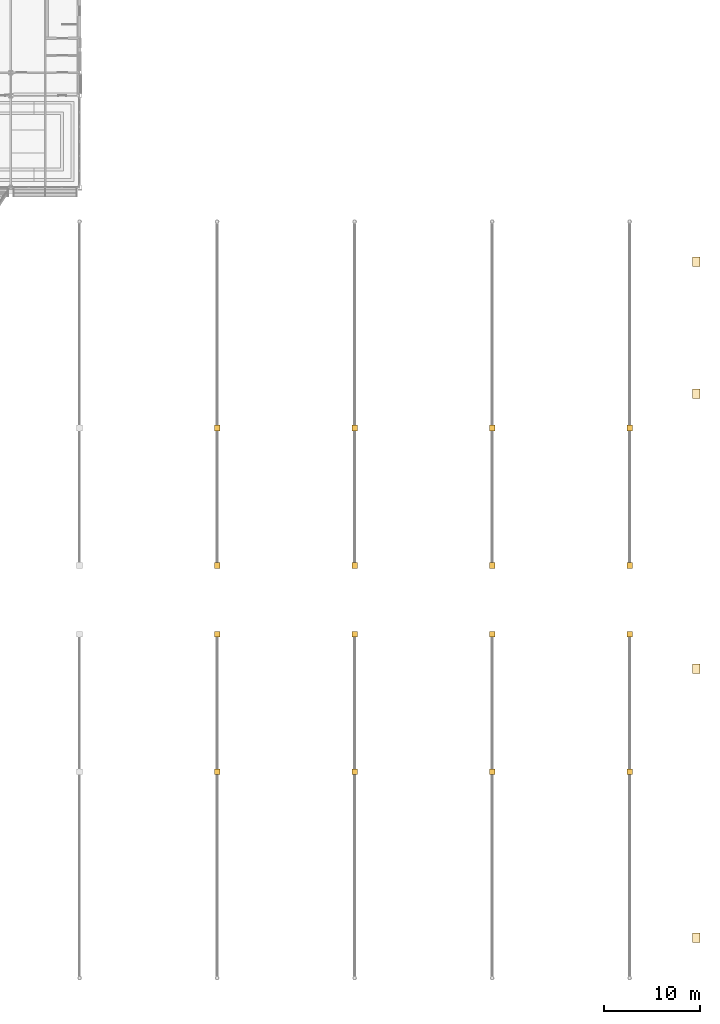
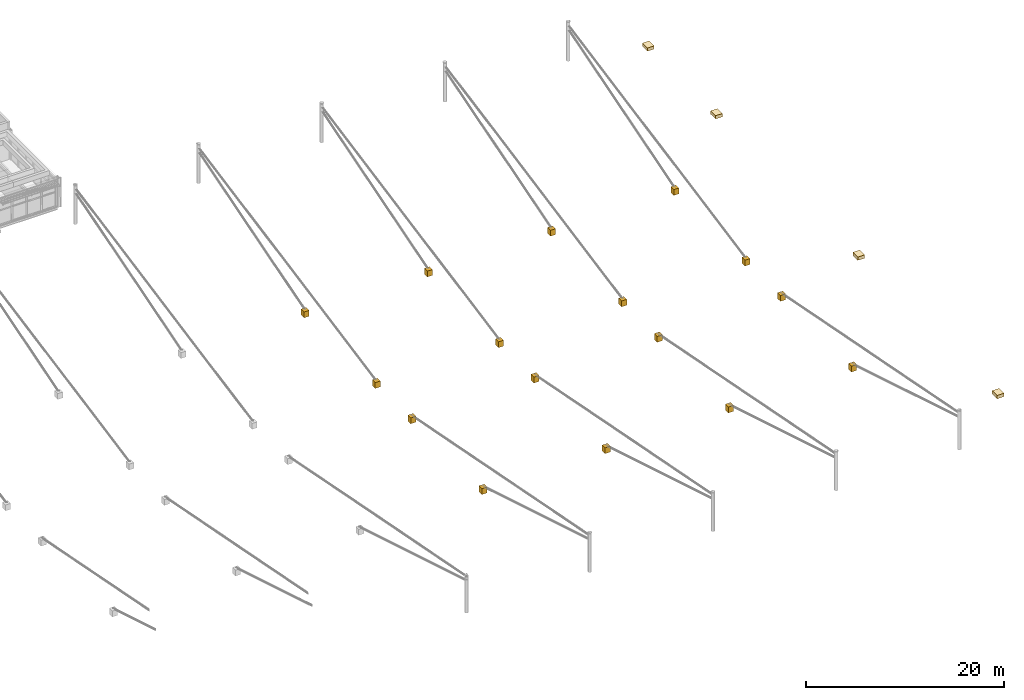
# One storey, part 67 of 68: 20 coverings.
"""IFC4 building model written with IfcOpenShell, lengths in metres."""

from ifc_helpers import new_model, si_unit, direction, frame, origin, origin_2d, place, context, subcontext, project, spatial, polyline, rectangle, outline, extrude, material, layer, layer_set, type_object, element, save


model = new_model("IFC4")

# Units and contexts
model_context = context("Model", 3, precision=1e-05, world=origin(), true_north=direction((0.0, 1.0)))
body_context = subcontext(model_context, "Body", "Model", "MODEL_VIEW")
ifc_project = project(units=[si_unit("LENGTHUNIT", "METRE"), si_unit("AREAUNIT", "SQUARE_METRE"), si_unit("VOLUMEUNIT", "CUBIC_METRE"), si_unit("PLANEANGLEUNIT", "RADIAN"), si_unit("MASSUNIT", "GRAM", prefix="KILO")], contexts=[model_context])

# Site, building, storey
site_placement = place(None, origin())
site = spatial("IfcSite", under=ifc_project, at=site_placement, CompositionType="ELEMENT")
building_placement = place(site_placement, origin())
building = spatial("IfcBuilding", under=site, at=building_placement, Name="Kupolbacken Congress Centre", CompositionType="ELEMENT")
storey_placement = place(building_placement, frame((0.0, 0.0, 25.199951171875)))
storey = spatial("IfcBuildingStorey", under=building, at=storey_placement, Name="L07", CompositionType="ELEMENT", Elevation=25.199951171875)

# Coverings
ifc_material_1 = material(Name="Limestone cladding", Category="masonry")
ifc_layer_1 = layer(ifc_material_1, 0.35009765625)
ifc_layer_set_1 = layer_set([ifc_layer_1], Name="Limestone cladding")
covering_type_1 = type_object("IfcCoveringType", Name="CV3 limestone pilaster strip 350", PredefinedType="CLADDING", material=ifc_layer_set_1)
for number, where, z_axis, x_axis, name in (
    (1, (201.35009765625, 43.800048828125, 1.650146484375), (0.0, 0.0, 1.0), (0.0, 1.0, 0.0), "F/HR/pin/E/00/cap"),
    (2, (201.35009765625, 72.0, 1.650146484375), (0.0, 0.0, 1.0), (0.0, 1.0, 0.0), "F/HR/pin/E/01/cap"),
    (3, (201.35009765625, 100.800048828125, 1.650146484375), (0.0, 0.0, 1.0), (0.0, 1.0, 0.0), "F/HR/pin/E/02/cap"),
    (4, (201.35009765625, 114.60009765625, 1.650146484375), (0.0, 0.0, 1.0), (0.0, 1.0, 0.0), "F/HR/pin/E/03/cap"),
):
    element("IfcCovering", number, at=place(storey_placement, frame(where, z_axis=z_axis, x_axis=x_axis)), inside=storey, type_object=covering_type_1, Name=name, PredefinedType="CLADDING", context=body_context, shape_type="SweptSolid", body=[
        extrude(rectangle(XDim=1.0, YDim=0.800048828125, at=origin_2d()), origin(), (0.0, 0.0, 1.0), 0.39990234375),
    ])
ifc_material_2 = material(Name="Limestone cladding", Category="masonry")
ifc_layer_2 = layer(ifc_material_2, 0.60009765625)
ifc_layer_set_2 = layer_set([ifc_layer_2], Name="Limestone cladding")
covering_type_2 = type_object("IfcCoveringType", Name="CV5 limestone arcade pier 600", PredefinedType="CLADDING", material=ifc_layer_set_2)
covering_1_placement = place(storey_placement, frame((0.0, 0.0, -3.329833984375)))
element("IfcCovering", 5, at=covering_1_placement, inside=storey, type_object=covering_type_2, Name="Stay anchor block", PredefinedType="CLADDING", context=body_context, shape_type="SweptSolid", body=[
    extrude(outline(polyline([(151.5, 60.89990234375), (151.5, 61.5), (150.89990234375, 61.5), (150.89990234375, 60.89990234375), (151.5, 60.89990234375)])), origin(), (0.0, 0.0, 1.0), 0.719970703125),
])
covering_2_placement = place(storey_placement, frame((0.0, 0.0, -3.329833984375)))
element("IfcCovering", 6, at=covering_2_placement, inside=storey, type_object=covering_type_2, Name="Stay anchor block", PredefinedType="CLADDING", context=body_context, shape_type="SweptSolid", body=[
    extrude(outline(polyline([(151.5, 75.300048828125), (151.5, 75.89990234375), (150.89990234375, 75.89990234375), (150.89990234375, 75.300048828125), (151.5, 75.300048828125)])), origin(), (0.0, 0.0, 1.0), 0.719970703125),
])
covering_3_placement = place(storey_placement, frame((0.0, 0.0, -3.329833984375)))
element("IfcCovering", 7, at=covering_3_placement, inside=storey, type_object=covering_type_2, Name="Stay anchor block", PredefinedType="CLADDING", context=body_context, shape_type="SweptSolid", body=[
    extrude(outline(polyline([(151.5, 82.5), (151.5, 83.10009765625), (150.89990234375, 83.10009765625), (150.89990234375, 82.5), (151.5, 82.5)])), origin(), (0.0, 0.0, 1.0), 0.719970703125),
])
covering_4_placement = place(storey_placement, frame((0.0, 0.0, -3.329833984375)))
element("IfcCovering", 8, at=covering_4_placement, inside=storey, type_object=covering_type_2, Name="Stay anchor block", PredefinedType="CLADDING", context=body_context, shape_type="SweptSolid", body=[
    extrude(outline(polyline([(151.5, 96.89990234375), (151.5, 97.5), (150.89990234375, 97.5), (150.89990234375, 96.89990234375), (151.5, 96.89990234375)])), origin(), (0.0, 0.0, 1.0), 0.719970703125),
])
covering_5_placement = place(storey_placement, frame((0.0, 0.0, -3.329833984375)))
element("IfcCovering", 9, at=covering_5_placement, inside=storey, type_object=covering_type_2, Name="Stay anchor block", PredefinedType="CLADDING", context=body_context, shape_type="SweptSolid", body=[
    extrude(outline(polyline([(165.89990234375, 60.89990234375), (165.89990234375, 61.5), (165.300048828125, 61.5), (165.300048828125, 60.89990234375), (165.89990234375, 60.89990234375)])), origin(), (0.0, 0.0, 1.0), 0.719970703125),
])
covering_6_placement = place(storey_placement, frame((0.0, 0.0, -3.329833984375)))
element("IfcCovering", 10, at=covering_6_placement, inside=storey, type_object=covering_type_2, Name="Stay anchor block", PredefinedType="CLADDING", context=body_context, shape_type="SweptSolid", body=[
    extrude(outline(polyline([(165.89990234375, 75.300048828125), (165.89990234375, 75.89990234375), (165.300048828125, 75.89990234375), (165.300048828125, 75.300048828125), (165.89990234375, 75.300048828125)])), origin(), (0.0, 0.0, 1.0), 0.719970703125),
])
covering_7_placement = place(storey_placement, frame((0.0, 0.0, -3.329833984375)))
element("IfcCovering", 11, at=covering_7_placement, inside=storey, type_object=covering_type_2, Name="Stay anchor block", PredefinedType="CLADDING", context=body_context, shape_type="SweptSolid", body=[
    extrude(outline(polyline([(165.89990234375, 82.5), (165.89990234375, 83.10009765625), (165.300048828125, 83.10009765625), (165.300048828125, 82.5), (165.89990234375, 82.5)])), origin(), (0.0, 0.0, 1.0), 0.719970703125),
])
covering_8_placement = place(storey_placement, frame((0.0, 0.0, -3.329833984375)))
element("IfcCovering", 12, at=covering_8_placement, inside=storey, type_object=covering_type_2, Name="Stay anchor block", PredefinedType="CLADDING", context=body_context, shape_type="SweptSolid", body=[
    extrude(outline(polyline([(165.89990234375, 96.89990234375), (165.89990234375, 97.5), (165.300048828125, 97.5), (165.300048828125, 96.89990234375), (165.89990234375, 96.89990234375)])), origin(), (0.0, 0.0, 1.0), 0.719970703125),
])
covering_9_placement = place(storey_placement, frame((0.0, 0.0, -3.329833984375)))
element("IfcCovering", 13, at=covering_9_placement, inside=storey, type_object=covering_type_2, Name="Stay anchor block", PredefinedType="CLADDING", context=body_context, shape_type="SweptSolid", body=[
    extrude(outline(polyline([(180.300048828125, 60.89990234375), (180.300048828125, 61.5), (179.699951171875, 61.5), (179.699951171875, 60.89990234375), (180.300048828125, 60.89990234375)])), origin(), (0.0, 0.0, 1.0), 0.719970703125),
])
covering_10_placement = place(storey_placement, frame((0.0, 0.0, -3.329833984375)))
element("IfcCovering", 14, at=covering_10_placement, inside=storey, type_object=covering_type_2, Name="Stay anchor block", PredefinedType="CLADDING", context=body_context, shape_type="SweptSolid", body=[
    extrude(outline(polyline([(180.300048828125, 75.300048828125), (180.300048828125, 75.89990234375), (179.699951171875, 75.89990234375), (179.699951171875, 75.300048828125), (180.300048828125, 75.300048828125)])), origin(), (0.0, 0.0, 1.0), 0.719970703125),
])
covering_11_placement = place(storey_placement, frame((0.0, 0.0, -3.329833984375)))
element("IfcCovering", 15, at=covering_11_placement, inside=storey, type_object=covering_type_2, Name="Stay anchor block", PredefinedType="CLADDING", context=body_context, shape_type="SweptSolid", body=[
    extrude(outline(polyline([(180.300048828125, 82.5), (180.300048828125, 83.10009765625), (179.699951171875, 83.10009765625), (179.699951171875, 82.5), (180.300048828125, 82.5)])), origin(), (0.0, 0.0, 1.0), 0.719970703125),
])
covering_12_placement = place(storey_placement, frame((0.0, 0.0, -3.329833984375)))
element("IfcCovering", 16, at=covering_12_placement, inside=storey, type_object=covering_type_2, Name="Stay anchor block", PredefinedType="CLADDING", context=body_context, shape_type="SweptSolid", body=[
    extrude(outline(polyline([(180.300048828125, 96.89990234375), (180.300048828125, 97.5), (179.699951171875, 97.5), (179.699951171875, 96.89990234375), (180.300048828125, 96.89990234375)])), origin(), (0.0, 0.0, 1.0), 0.719970703125),
])
covering_13_placement = place(storey_placement, frame((0.0, 0.0, -3.329833984375)))
element("IfcCovering", 17, at=covering_13_placement, inside=storey, type_object=covering_type_2, Name="Stay anchor block", PredefinedType="CLADDING", context=body_context, shape_type="SweptSolid", body=[
    extrude(outline(polyline([(194.699951171875, 60.89990234375), (194.699951171875, 61.5), (194.10009765625, 61.5), (194.10009765625, 60.89990234375), (194.699951171875, 60.89990234375)])), origin(), (0.0, 0.0, 1.0), 0.719970703125),
])
covering_14_placement = place(storey_placement, frame((0.0, 0.0, -3.329833984375)))
element("IfcCovering", 18, at=covering_14_placement, inside=storey, type_object=covering_type_2, Name="Stay anchor block", PredefinedType="CLADDING", context=body_context, shape_type="SweptSolid", body=[
    extrude(outline(polyline([(194.699951171875, 75.300048828125), (194.699951171875, 75.89990234375), (194.10009765625, 75.89990234375), (194.10009765625, 75.300048828125), (194.699951171875, 75.300048828125)])), origin(), (0.0, 0.0, 1.0), 0.719970703125),
])
covering_15_placement = place(storey_placement, frame((0.0, 0.0, -3.329833984375)))
element("IfcCovering", 19, at=covering_15_placement, inside=storey, type_object=covering_type_2, Name="Stay anchor block", PredefinedType="CLADDING", context=body_context, shape_type="SweptSolid", body=[
    extrude(outline(polyline([(194.699951171875, 82.5), (194.699951171875, 83.10009765625), (194.10009765625, 83.10009765625), (194.10009765625, 82.5), (194.699951171875, 82.5)])), origin(), (0.0, 0.0, 1.0), 0.719970703125),
])
covering_16_placement = place(storey_placement, frame((0.0, 0.0, -3.329833984375)))
element("IfcCovering", 20, at=covering_16_placement, inside=storey, type_object=covering_type_2, Name="Stay anchor block", PredefinedType="CLADDING", context=body_context, shape_type="SweptSolid", body=[
    extrude(outline(polyline([(194.699951171875, 96.89990234375), (194.699951171875, 97.5), (194.10009765625, 97.5), (194.10009765625, 96.89990234375), (194.699951171875, 96.89990234375)])), origin(), (0.0, 0.0, 1.0), 0.719970703125),
])

save(model, "model.ifc")
